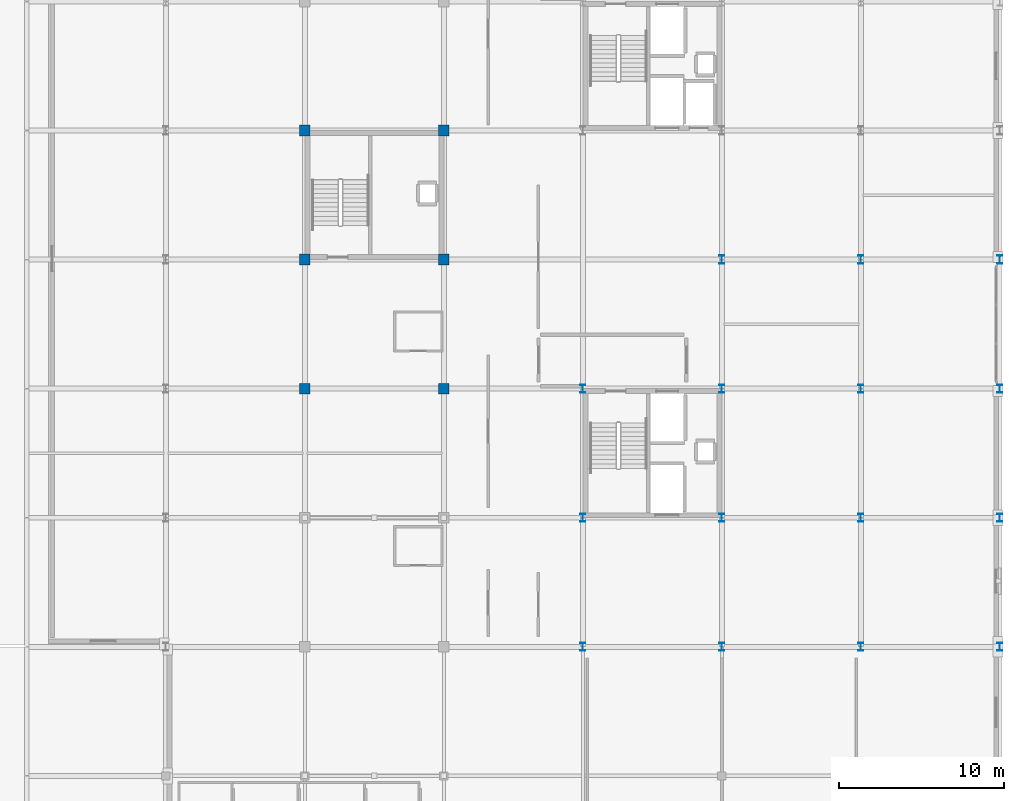
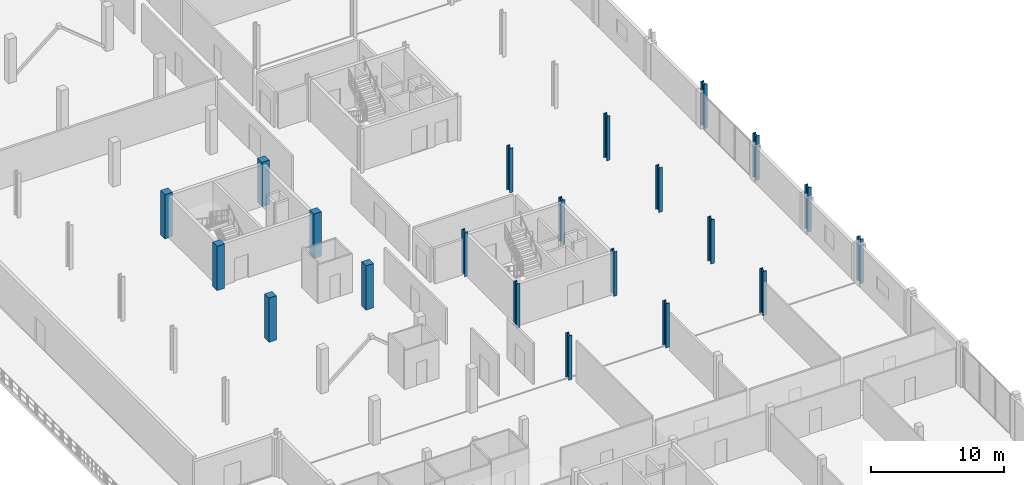
# One storey, part 5 of 41: 21 columns.
"""IFC4 building model written with IfcOpenShell, lengths in metres."""

from ifc_helpers import new_model, si_unit, direction, frame, origin, origin_2d, place, context, subcontext, project, spatial, rectangle, i_section, extrude, material, material_profile, profile_set, type_object, element, save


model = new_model("IFC4")

# Units and contexts
model_context = context("Model", 3, precision=1e-05, world=origin(), true_north=direction((0.0, 1.0)))
body_context = subcontext(model_context, "Body", "Model", "MODEL_VIEW")
ifc_project = project(units=[si_unit("LENGTHUNIT", "METRE"), si_unit("AREAUNIT", "SQUARE_METRE"), si_unit("VOLUMEUNIT", "CUBIC_METRE"), si_unit("PLANEANGLEUNIT", "RADIAN"), si_unit("MASSUNIT", "GRAM", prefix="KILO")], contexts=[model_context])

# Site, building, storey
site_placement = place(None, origin())
site = spatial("IfcSite", under=ifc_project, at=site_placement, CompositionType="ELEMENT")
building_placement = place(site_placement, origin())
building = spatial("IfcBuilding", under=site, at=building_placement, Name="Nabrawat Pavilion Hospital", CompositionType="ELEMENT")
storey_placement = place(building_placement, frame((0.0, 0.0, 18.89990234375)))
storey = spatial("IfcBuildingStorey", under=building, at=storey_placement, Name="L04", CompositionType="ELEMENT", Elevation=18.89990234375)

# Columns
ifc_material_1 = material(Name="Steel S355", Category="steel")
ifc_material_profile_1 = material_profile(ifc_material_1, i_section(OverallWidth=0.300048828125, OverallDepth=0.5, WebThickness=0.014404296875, FlangeThickness=0.028076171875, FilletRadius=0.027099609375, at=origin_2d()), Name="HEB 500")
ifc_profile_set_1 = profile_set([ifc_material_profile_1], Name="Steel S355")
column_type_1 = type_object("IfcColumnType", Name="Composite Steel Column HEB 500", PredefinedType="COLUMN", material=ifc_profile_set_1)
for number, where, z_axis, x_axis, name in (
    (1, (168.0, 39.0, 0.0), (0.0, 0.0, 1.0), (1.0, 0.0, 0.0), "L04 Structural Column G-21-F1"),
    (2, (168.0, 46.800048828125, 0.0), (0.0, 0.0, 1.0), (1.0, 0.0, 0.0), "L04 Structural Column G-21-G"),
    (3, (168.0, 54.60009765625, 0.0), (0.0, 0.0, 1.0), (1.0, 0.0, 0.0), "L04 Structural Column G-21-H"),
    (4, (176.39990234375, 39.0, 0.0), (0.0, 0.0, 1.0), (1.0, 0.0, 0.0), "L04 Structural Column G-22-F1"),
    (5, (176.39990234375, 46.800048828125, 0.0), (0.0, 0.0, 1.0), (1.0, 0.0, 0.0), "L04 Structural Column G-22-G"),
    (6, (176.39990234375, 54.60009765625, 0.0), (0.0, 0.0, 1.0), (1.0, 0.0, 0.0), "L04 Structural Column G-22-H"),
    (7, (176.39990234375, 62.39990234375, 0.0), (0.0, 0.0, 1.0), (1.0, 0.0, 0.0), "L04 Structural Column G-22-J"),
    (8, (184.800048828125, 39.0, 0.0), (0.0, 0.0, 1.0), (1.0, 0.0, 0.0), "L04 Structural Column G-23-F1"),
    (9, (184.800048828125, 46.800048828125, 0.0), (0.0, 0.0, 1.0), (1.0, 0.0, 0.0), "L04 Structural Column G-23-G"),
    (10, (184.800048828125, 54.60009765625, 0.0), (0.0, 0.0, 1.0), (1.0, 0.0, 0.0), "L04 Structural Column G-23-H"),
    (11, (184.800048828125, 62.39990234375, 0.0), (0.0, 0.0, 1.0), (1.0, 0.0, 0.0), "L04 Structural Column G-23-J"),
    (12, (193.199951171875, 39.0, 0.0), (0.0, 0.0, 1.0), (1.0, 0.0, 0.0), "L04 Structural Column G-24-F1"),
    (13, (193.199951171875, 46.800048828125, 0.0), (0.0, 0.0, 1.0), (1.0, 0.0, 0.0), "L04 Structural Column G-24-G"),
    (14, (193.199951171875, 54.60009765625, 0.0), (0.0, 0.0, 1.0), (1.0, 0.0, 0.0), "L04 Structural Column G-24-H"),
    (15, (193.199951171875, 62.39990234375, 0.0), (0.0, 0.0, 1.0), (1.0, 0.0, 0.0), "L04 Structural Column G-24-J"),
):
    element("IfcColumn", number, at=place(storey_placement, frame(where, z_axis=z_axis, x_axis=x_axis)), inside=storey, type_object=column_type_1, Name=name, PredefinedType="COLUMN", context=body_context, shape_type="SweptSolid", body=[
        extrude(i_section(OverallWidth=0.300048828125, OverallDepth=0.5, WebThickness=0.014404296875, FlangeThickness=0.028076171875, FilletRadius=0.027099609375, at=origin_2d()), origin(), (0.0, 0.0, 1.0), 4.050048828125),
    ])
ifc_material_2 = material(Name="Concrete C40/50", Category="concrete")
ifc_material_profile_2 = material_profile(ifc_material_2, rectangle(XDim=0.64990234375, YDim=0.64990234375, at=origin_2d()), Name="RC 650x650")
ifc_profile_set_2 = profile_set([ifc_material_profile_2], Name="Concrete C40/50")
column_type_2 = type_object("IfcColumnType", Name="Outpatient RC Column 650x650", PredefinedType="COLUMN", material=ifc_profile_set_2)
for number, where, z_axis, x_axis, name in (
    (16, (151.199951171875, 54.60009765625, 0.0), (0.0, 0.0, 1.0), (1.0, 0.0, 0.0), "L04 Structural Column G-19-H"),
    (17, (151.199951171875, 62.39990234375, 0.0), (0.0, 0.0, 1.0), (1.0, 0.0, 0.0), "L04 Structural Column G-19-J"),
    (18, (151.199951171875, 70.199951171875, 0.0), (0.0, 0.0, 1.0), (1.0, 0.0, 0.0), "L04 Structural Column G-19-K"),
    (19, (159.60009765625, 54.60009765625, 0.0), (0.0, 0.0, 1.0), (1.0, 0.0, 0.0), "L04 Structural Column G-20-H"),
    (20, (159.60009765625, 62.39990234375, 0.0), (0.0, 0.0, 1.0), (1.0, 0.0, 0.0), "L04 Structural Column G-20-J"),
    (21, (159.60009765625, 70.199951171875, 0.0), (0.0, 0.0, 1.0), (1.0, 0.0, 0.0), "L04 Structural Column G-20-K"),
):
    element("IfcColumn", number, at=place(storey_placement, frame(where, z_axis=z_axis, x_axis=x_axis)), inside=storey, type_object=column_type_2, Name=name, PredefinedType="COLUMN", context=body_context, shape_type="SweptSolid", body=[
        extrude(rectangle(XDim=0.64990234375, YDim=0.64990234375, at=origin_2d()), origin(), (0.0, 0.0, 1.0), 4.050048828125),
    ])

save(model, "model.ifc")
